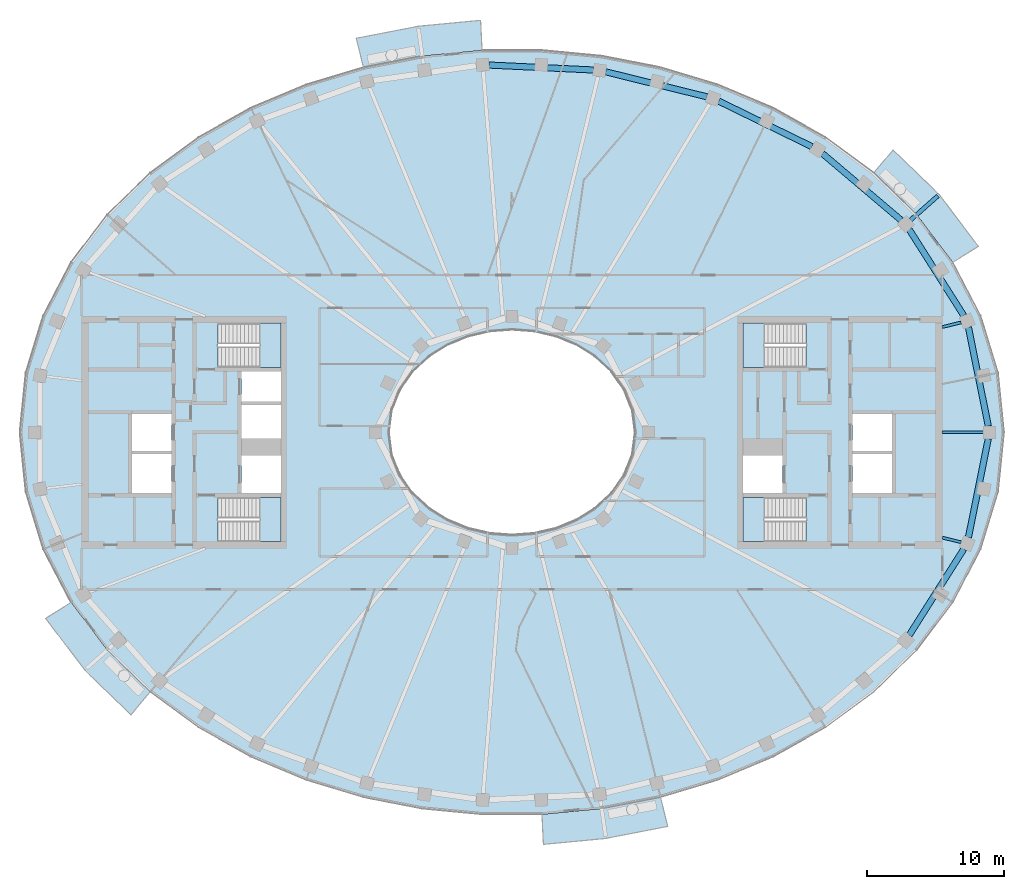
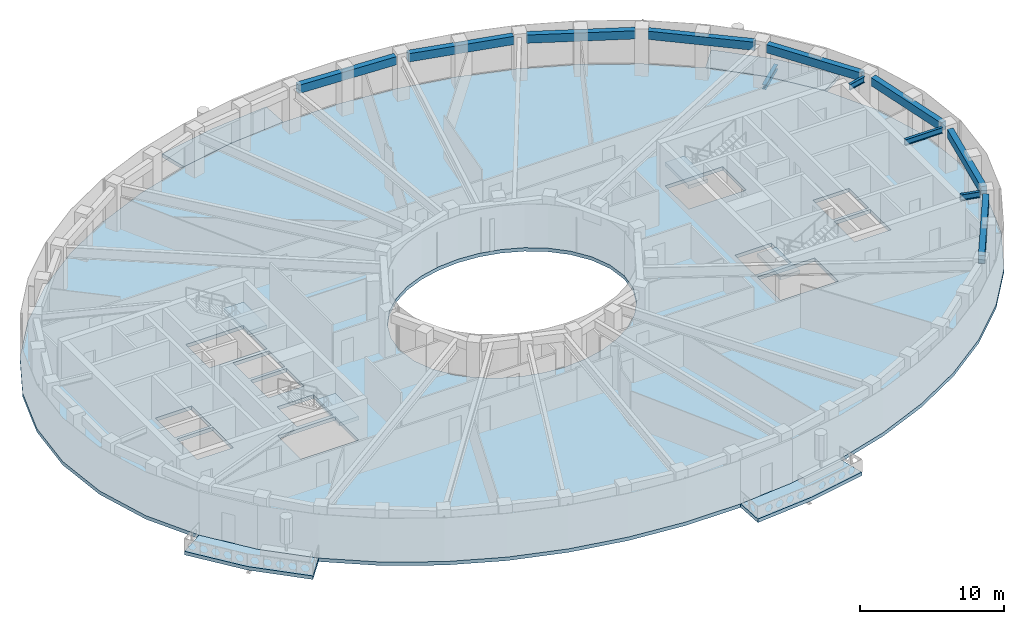
# One storey, part 2 of 16: 12 beams, 9 slabs, 4 elements without a shape of their own.
"""IFC4 building model written with IfcOpenShell, lengths in metres."""

from ifc_helpers import new_model, si_unit, direction, frame, origin, origin_2d, place, context, subcontext, project, spatial, polyline, rectangle, i_section, outline, extrude, material, layer, layer_set, material_profile, profile_set, type_object, element, aggregate, save


model = new_model("IFC4")

# Units and contexts
model_context = context("Model", 3, precision=1e-05, world=origin(), true_north=direction((0.0, 1.0)))
body_context = subcontext(model_context, "Body", "Model", "MODEL_VIEW")
ifc_project = project(units=[si_unit("LENGTHUNIT", "METRE"), si_unit("AREAUNIT", "SQUARE_METRE"), si_unit("VOLUMEUNIT", "CUBIC_METRE"), si_unit("PLANEANGLEUNIT", "RADIAN"), si_unit("MASSUNIT", "GRAM", prefix="KILO")], contexts=[model_context])

# Site, building, storey
site_placement = place(None, origin())
site = spatial("IfcSite", under=ifc_project, at=site_placement, CompositionType="ELEMENT")
building_placement = place(site_placement, origin())
building = spatial("IfcBuilding", under=site, at=building_placement, Name="Noorbagh Ring Tower", CompositionType="ELEMENT")
storey_placement = place(building_placement, frame((0.0, 0.0, 299.0)))
storey = spatial("IfcBuildingStorey", under=building, at=storey_placement, Name="L64", CompositionType="ELEMENT", Elevation=299.0)

# Beams
ifc_material_1 = material(Name="Steel S355", Category="steel")
ifc_material_profile_1 = material_profile(ifc_material_1, i_section(OverallWidth=0.300048828125, OverallDepth=0.39990234375, WebThickness=0.013427734375, FlangeThickness=0.02392578125, FilletRadius=0.027099609375, at=origin_2d()), Name="HEB400")
ifc_profile_set_1 = profile_set([ifc_material_profile_1], Name="Steel S355")
beam_type_1 = type_object("IfcBeamType", Name="STR-BALCONY-BRACKET-HEB400", PredefinedType="BEAM", material=ifc_profile_set_1)
beam_1_placement = place(storey_placement, frame((29.15966796875, 15.531982421875, -0.5), z_axis=(0.749056248736, 0.662506404671, 0.0), x_axis=(-0.662506404671, 0.749056248736, 0.0)))
element("IfcBeam", 1, at=beam_1_placement, inside=storey, type_object=beam_type_1, Name="Balcony bracket beam BN01", PredefinedType="BEAM", context=body_context, shape_type="SweptSolid", body=[
    extrude(i_section(OverallWidth=0.300048828125, OverallDepth=0.39990234375, WebThickness=0.013427734375, FlangeThickness=0.02392578125, FilletRadius=0.027099609375, at=origin_2d()), origin(), (0.0, 0.0, 1.0), 2.654296875),
])
ifc_material_2 = material(Name="Steel S355", Category="steel")
ifc_material_profile_2 = material_profile(ifc_material_2, i_section(OverallWidth=0.199951171875, OverallDepth=0.5, WebThickness=0.01025390625, FlangeThickness=0.01611328125, FilletRadius=0.02099609375, at=origin_2d()), Name="IPE500")
ifc_profile_set_2 = profile_set([ifc_material_profile_2], Name="Steel S355")
beam_type_2 = type_object("IfcBeamType", Name="STR-RAD-IPE500", PredefinedType="BEAM", material=ifc_profile_set_2)
beam_2_placement = place(storey_placement, frame((34.48974609375, 0.0, 3.449951171875), z_axis=(-1.0, 0.0, 0.0), x_axis=(0.0, -1.0, 0.0)))
element("IfcBeam", 2, at=beam_2_placement, inside=storey, type_object=beam_type_2, Name="L64/bm/RD01", PredefinedType="BEAM", context=body_context, shape_type="SweptSolid", body=[
    extrude(i_section(OverallWidth=0.199951171875, OverallDepth=0.5, WebThickness=0.01025390625, FlangeThickness=0.01611328125, FilletRadius=0.02099609375, at=origin_2d()), origin(), (0.0, 0.0, 1.0), 3.009765625),
])
for number, where, z_axis, x_axis, name in (
    (3, (32.858154296875, 8.0400390625, 3.449951171875), (-0.971335445274, -0.237712962949, 0.0), (0.237712962949, -0.971335445274, 0.0), "L64/bm/RD03"),
    (4, (32.858154296875, -8.0400390625, 3.449951171875), (-0.971335445274, 0.237712962949, 0.0), (-0.237712962949, -0.971335445274, 0.0), "L64/bm/RD45"),
):
    element("IfcBeam", number, at=place(storey_placement, frame(where, z_axis=z_axis, x_axis=x_axis)), inside=storey, type_object=beam_type_2, Name=name, PredefinedType="BEAM", context=body_context, shape_type="SweptSolid", body=[
        extrude(i_section(OverallWidth=0.199951171875, OverallDepth=0.5, WebThickness=0.01025390625, FlangeThickness=0.01611328125, FilletRadius=0.02099609375, at=origin_2d()), origin(), (0.0, 0.0, 1.0), 1.41845703125),
    ])
ifc_material_3 = material(Name="Concrete C40/50", Category="concrete")
ifc_material_profile_3 = material_profile(ifc_material_3, rectangle(XDim=0.449951171875, YDim=0.699951171875, at=origin_2d()), Name="RC450x700")
ifc_profile_set_3 = profile_set([ifc_material_profile_3], Name="Concrete C40/50")
beam_type_3 = type_object("IfcBeamType", Name="STR-SB-RC450x700-C40-50", PredefinedType="BEAM", material=ifc_profile_set_3)
beam_3_placement = place(storey_placement, frame((34.85302734375, 0.455322265625, 3.35009765625), z_axis=(-0.197209573264, 0.980361353896, 0.0), x_axis=(-0.980361353896, -0.197209573264, 0.0)))
element("IfcBeam", 5, at=beam_3_placement, inside=storey, type_object=beam_type_3, Name="L64/bm/SP01", PredefinedType="BEAM", context=body_context, shape_type="SweptSolid", body=[
    extrude(rectangle(XDim=0.449951171875, YDim=0.699951171875, at=origin_2d()), origin(), (0.0, 0.0, 1.0), 7.384521484375),
])
beam_4_placement = place(storey_placement, frame((33.0576171875, 8.5400390625, 3.35009765625), z_axis=(-0.535175885378, 0.84474065352, 0.0), x_axis=(-0.84474065352, -0.535175885378, 0.0)))
element("IfcBeam", 6, at=beam_4_placement, inside=storey, type_object=beam_type_3, Name="L64/bm/SP03", PredefinedType="BEAM", context=body_context, shape_type="SweptSolid", body=[
    extrude(rectangle(XDim=0.449951171875, YDim=0.699951171875, at=origin_2d()), origin(), (0.0, 0.0, 1.0), 7.459228515625),
])
beam_5_placement = place(storey_placement, frame((28.4677734375, 15.52783203125, 3.35009765625), z_axis=(-0.763022759798, 0.646371617594, 0.0), x_axis=(-0.646371617594, -0.763022759798, 0.0)))
element("IfcBeam", 7, at=beam_5_placement, inside=storey, type_object=beam_type_3, Name="L64/bm/SP05", PredefinedType="BEAM", context=body_context, shape_type="SweptSolid", body=[
    extrude(rectangle(XDim=0.449951171875, YDim=0.699951171875, at=origin_2d()), origin(), (0.0, 0.0, 1.0), 7.54296875),
])
beam_6_placement = place(storey_placement, frame((21.9501953125, 20.9013671875, 3.35009765625), z_axis=(-0.898405762579, 0.43916635318, 0.0), x_axis=(-0.43916635318, -0.898405762579, 0.0)))
element("IfcBeam", 8, at=beam_6_placement, inside=storey, type_object=beam_type_3, Name="L64/bm/SP07", PredefinedType="BEAM", context=body_context, shape_type="SweptSolid", body=[
    extrude(rectangle(XDim=0.449951171875, YDim=0.699951171875, at=origin_2d()), origin(), (0.0, 0.0, 1.0), 7.6015625),
])
beam_7_placement = place(storey_placement, frame((14.265380859375, 24.550537109375, 3.35009765625), z_axis=(-0.970830763324, 0.239765779427, 0.0), x_axis=(-0.239765779427, -0.970830763324, 0.0)))
element("IfcBeam", 9, at=beam_7_placement, inside=storey, type_object=beam_type_3, Name="L64/bm/SP09", PredefinedType="BEAM", context=body_context, shape_type="SweptSolid", body=[
    extrude(rectangle(XDim=0.449951171875, YDim=0.699951171875, at=origin_2d()), origin(), (0.0, 0.0, 1.0), 7.634765625),
])
beam_8_placement = place(storey_placement, frame((5.95263671875, 26.5126953125, 3.35009765625), z_axis=(-0.998869653919, 0.047533298648, 0.0), x_axis=(-0.047533298648, -0.998869653919, 0.0)))
element("IfcBeam", 10, at=beam_8_placement, inside=storey, type_object=beam_type_3, Name="L64/bm/SP11", PredefinedType="BEAM", context=body_context, shape_type="SweptSolid", body=[
    extrude(rectangle(XDim=0.449951171875, YDim=0.699951171875, at=origin_2d()), origin(), (0.0, 0.0, 1.0), 7.647705078125),
])
beam_9_placement = place(storey_placement, frame((29.065673828125, -14.841064453125, 3.35009765625), z_axis=(0.535175885378, 0.84474065352, 0.0), x_axis=(-0.84474065352, 0.535175885378, 0.0)))
element("IfcBeam", 11, at=beam_9_placement, inside=storey, type_object=beam_type_3, Name="L64/bm/SP43", PredefinedType="BEAM", context=body_context, shape_type="SweptSolid", body=[
    extrude(rectangle(XDim=0.449951171875, YDim=0.699951171875, at=origin_2d()), origin(), (0.0, 0.0, 1.0), 7.459228515625),
])
beam_10_placement = place(storey_placement, frame((33.396728515625, -7.69482421875, 3.35009765625), z_axis=(0.197209573264, 0.980361353896, 0.0), x_axis=(-0.980361353896, 0.197209573264, 0.0)))
element("IfcBeam", 12, at=beam_10_placement, inside=storey, type_object=beam_type_3, Name="L64/bm/SP45", PredefinedType="BEAM", context=body_context, shape_type="SweptSolid", body=[
    extrude(rectangle(XDim=0.449951171875, YDim=0.699951171875, at=origin_2d()), origin(), (0.0, 0.0, 1.0), 7.384521484375),
])

# Stair, slab
ifc_material_4 = material(Name="Concrete C40/50", Category="concrete")
stair_type = type_object("IfcStairType", Name="CORE-STAIR", PredefinedType="HALF_TURN_STAIR", material=ifc_material_4)
stair_1_placement = place(storey_placement, origin())
stair_1 = element("IfcStair", 13, at=stair_1_placement, inside=storey, type_object=stair_type, Name="L64 Exit stair ST1", PredefinedType="HALF_TURN_STAIR")
ifc_material_5 = material(Name="Concrete C40/50", Category="concrete")
ifc_layer_1 = layer(ifc_material_5, 0.300048828125)
ifc_layer_set_1 = layer_set([ifc_layer_1], Name="Concrete C40/50")
slab_type_1 = type_object("IfcSlabType", Name="CORE-STAIR-LANDING", PredefinedType="LANDING", material=ifc_layer_set_1)
slab_1_placement = place(storey_placement, frame((0.0, 0.0, 1.699951171875)))
slab_1 = element("IfcSlab", 14, at=slab_1_placement, type_object=slab_type_1, Name="ST1 landing 1", PredefinedType="LANDING", context=body_context, shape_type="SweptSolid", body=[
    extrude(outline(polyline([(-18.449951171875, 4.75), (-16.89990234375, 4.75), (-16.89990234375, 8.0), (-18.449951171875, 8.0), (-18.449951171875, 4.75)])), origin(), (0.0, 0.0, 1.0), 0.300048828125),
])
aggregate(stair_1, [slab_1])

stair_2_placement = place(storey_placement, origin())
stair_2 = element("IfcStair", 15, at=stair_2_placement, inside=storey, type_object=stair_type, Name="L64 Exit stair ST2", PredefinedType="HALF_TURN_STAIR")
slab_2_placement = place(storey_placement, frame((0.0, 0.0, 1.699951171875)))
slab_2 = element("IfcSlab", 16, at=slab_2_placement, type_object=slab_type_1, Name="ST2 landing 1", PredefinedType="LANDING", context=body_context, shape_type="SweptSolid", body=[
    extrude(outline(polyline([(-18.449951171875, -8.0), (-16.89990234375, -8.0), (-16.89990234375, -4.75), (-18.449951171875, -4.75), (-18.449951171875, -8.0)])), origin(), (0.0, 0.0, 1.0), 0.300048828125),
])
aggregate(stair_2, [slab_2])

stair_3_placement = place(storey_placement, origin())
stair_3 = element("IfcStair", 17, at=stair_3_placement, inside=storey, type_object=stair_type, Name="L64 Exit stair ST3", PredefinedType="HALF_TURN_STAIR")
slab_3_placement = place(storey_placement, frame((0.0, 0.0, 1.699951171875)))
slab_3 = element("IfcSlab", 18, at=slab_3_placement, type_object=slab_type_1, Name="ST3 landing 1", PredefinedType="LANDING", context=body_context, shape_type="SweptSolid", body=[
    extrude(outline(polyline([(18.449951171875, 8.0), (16.89990234375, 8.0), (16.89990234375, 4.75), (18.449951171875, 4.75), (18.449951171875, 8.0)])), origin(), (0.0, 0.0, 1.0), 0.300048828125),
])
aggregate(stair_3, [slab_3])

stair_4_placement = place(storey_placement, origin())
stair_4 = element("IfcStair", 19, at=stair_4_placement, inside=storey, type_object=stair_type, Name="L64 Exit stair ST4", PredefinedType="HALF_TURN_STAIR")
slab_4_placement = place(storey_placement, frame((0.0, 0.0, 1.699951171875)))
slab_4 = element("IfcSlab", 20, at=slab_4_placement, type_object=slab_type_1, Name="ST4 landing 1", PredefinedType="LANDING", context=body_context, shape_type="SweptSolid", body=[
    extrude(outline(polyline([(18.449951171875, -4.75), (16.89990234375, -4.75), (16.89990234375, -8.0), (18.449951171875, -8.0), (18.449951171875, -4.75)])), origin(), (0.0, 0.0, 1.0), 0.300048828125),
])
aggregate(stair_4, [slab_4])

# Slabs
ifc_material_6 = material(Name="Concrete C40/50", Category="concrete")
ifc_layer_2 = layer(ifc_material_6, 0.300048828125)
ifc_layer_set_2 = layer_set([ifc_layer_2], Name="Concrete C40/50")
slab_type_2 = type_object("IfcSlabType", Name="ENV-BALCONY DECK 300", PredefinedType="FLOOR", material=ifc_layer_set_2)
slab_5_placement = place(storey_placement, frame((0.0, 0.0, -0.300048828125)))
element("IfcSlab", 21, at=slab_5_placement, inside=storey, type_object=slab_type_2, Name="Tree balcony deck BN01", PredefinedType="FLOOR", context=body_context, shape_type="SweptSolid", body=[
    extrude(outline(polyline([(34.120361328125, 13.615966796875), (31.26025390625, 17.389892578125), (27.888671875, 20.665771484375), (26.463134765625, 18.983154296875), (29.607666015625, 15.92822265625), (32.255126953125, 12.434814453125), (34.120361328125, 13.615966796875)])), origin(), (0.0, 0.0, 1.0), 0.300048828125),
])
slab_6_placement = place(storey_placement, frame((0.0, 0.0, -0.300048828125)))
element("IfcSlab", 22, at=slab_6_placement, inside=storey, type_object=slab_type_2, Name="Tree balcony deck BN04", PredefinedType="FLOOR", context=body_context, shape_type="SweptSolid", body=[
    extrude(outline(polyline([(-2.2978515625, 30.14794921875), (-6.874755859375, 29.711181640625), (-11.3935546875, 28.832763671875), (-10.865234375, 26.6943359375), (-6.5595703125, 27.53125), (-2.193115234375, 27.947998046875), (-2.2978515625, 30.14794921875)])), origin(), (0.0, 0.0, 1.0), 0.300048828125),
])
slab_7_placement = place(storey_placement, frame((0.0, 0.0, -0.300048828125)))
element("IfcSlab", 23, at=slab_7_placement, inside=storey, type_object=slab_type_2, Name="Tree balcony deck BS01", PredefinedType="FLOOR", context=body_context, shape_type="SweptSolid", body=[
    extrude(outline(polyline([(-34.120361328125, -13.615966796875), (-31.26025390625, -17.389892578125), (-27.888671875, -20.665771484375), (-26.463134765625, -18.983154296875), (-29.607666015625, -15.92822265625), (-32.255126953125, -12.434814453125), (-34.120361328125, -13.615966796875)])), origin(), (0.0, 0.0, 1.0), 0.300048828125),
])
slab_8_placement = place(storey_placement, frame((0.0, 0.0, -0.300048828125)))
element("IfcSlab", 24, at=slab_8_placement, inside=storey, type_object=slab_type_2, Name="Tree balcony deck BS04", PredefinedType="FLOOR", context=body_context, shape_type="SweptSolid", body=[
    extrude(outline(polyline([(2.2978515625, -30.14794921875), (6.874755859375, -29.711181640625), (11.3935546875, -28.832763671875), (10.865234375, -26.6943359375), (6.5595703125, -27.53125), (2.193115234375, -27.947998046875), (2.2978515625, -30.14794921875)])), origin(), (0.0, 0.0, 1.0), 0.300048828125),
])
ifc_material_7 = material(Name="Concrete C40/50", Category="concrete")
ifc_layer_3 = layer(ifc_material_7, 0.300048828125)
ifc_layer_set_3 = layer_set([ifc_layer_3], Name="Concrete C40/50")
slab_type_3 = type_object("IfcSlabType", Name="STR-FLOOR-DECK-300", PredefinedType="FLOOR", material=ifc_layer_set_3)
slab_9_placement = place(storey_placement, frame((0.0, 0.0, -0.300048828125)))
element("IfcSlab", 25, at=slab_9_placement, inside=storey, type_object=slab_type_3, Name="L64/slab/1", PredefinedType="FLOOR", context=body_context, shape_type="SweptSolid", body=[
    extrude(outline(polyline([(36.0, 0.0), (35.56103515625, 4.358642578125), (34.281005859375, 8.548828125), (32.255126953125, 12.434814453125), (29.607666015625, 15.92822265625), (26.463134765625, 18.983154296875), (22.9326171875, 21.583740234375), (19.108154296875, 23.730224609375), (15.0654296875, 25.430419921875), (10.865234375, 26.6943359375), (6.5595703125, 27.53125), (2.193115234375, 27.947998046875), (-2.193115234375, 27.947998046875), (-6.5595703125, 27.53125), (-10.865234375, 26.6943359375), (-15.0654296875, 25.430419921875), (-19.108154296875, 23.730224609375), (-22.9326171875, 21.583740234375), (-26.463134765625, 18.983154296875), (-29.607666015625, 15.92822265625), (-32.255126953125, 12.434814453125), (-34.281005859375, 8.548828125), (-35.56103515625, 4.358642578125), (-36.0, 0.0), (-35.56103515625, -4.358642578125), (-34.281005859375, -8.548828125), (-32.255126953125, -12.434814453125), (-29.607666015625, -15.92822265625), (-26.463134765625, -18.983154296875), (-22.9326171875, -21.583740234375), (-19.108154296875, -23.730224609375), (-15.0654296875, -25.430419921875), (-10.865234375, -26.6943359375), (-6.5595703125, -27.53125), (-2.193115234375, -27.947998046875), (2.193115234375, -27.947998046875), (6.5595703125, -27.53125), (10.865234375, -26.6943359375), (15.0654296875, -25.430419921875), (19.108154296875, -23.730224609375), (22.9326171875, -21.583740234375), (26.463134765625, -18.983154296875), (29.607666015625, -15.92822265625), (32.255126953125, -12.434814453125), (34.281005859375, -8.548828125), (35.56103515625, -4.358642578125), (36.0, 0.0)]), holes=[polyline([(24.89990234375, -1.60009765625), (27.800048828125, -1.60009765625), (27.800048828125, -4.449951171875), (24.89990234375, -4.449951171875), (24.89990234375, -1.60009765625)]), polyline([(24.89990234375, 1.35009765625), (27.800048828125, 1.35009765625), (27.800048828125, -1.35009765625), (24.89990234375, -1.35009765625), (24.89990234375, 1.35009765625)]), polyline([(21.529541015625, -8.0), (16.89990234375, -8.0), (16.89990234375, -4.75), (21.529541015625, -4.75), (21.529541015625, -8.0)]), polyline([(21.529541015625, 4.75), (16.89990234375, 4.75), (16.89990234375, 8.0), (21.529541015625, 8.0), (21.529541015625, 4.75)]), polyline([(16.89990234375, -1.699951171875), (19.800048828125, -1.699951171875), (19.800048828125, -4.449951171875), (16.89990234375, -4.449951171875), (16.89990234375, -1.699951171875)]), polyline([(4.697509765625, -6.3974609375), (3.196533203125, -7.010986328125), (1.6171875, -7.3779296875), (0.0, -7.5), (-1.6171875, -7.3779296875), (-3.196533203125, -7.010986328125), (-4.697509765625, -6.3974609375), (-6.071044921875, -5.53662109375), (-7.2587890625, -4.43408203125), (-8.1904296875, -3.10888671875), (-8.79150390625, -1.605224609375), (-9.0, 0.0), (-8.79150390625, 1.605224609375), (-8.1904296875, 3.10888671875), (-7.2587890625, 4.43408203125), (-6.071044921875, 5.53662109375), (-4.697509765625, 6.3974609375), (-3.196533203125, 7.010986328125), (-1.6171875, 7.3779296875), (0.0, 7.5), (1.6171875, 7.3779296875), (3.196533203125, 7.010986328125), (4.697509765625, 6.3974609375), (6.071044921875, 5.53662109375), (7.2587890625, 4.43408203125), (8.1904296875, 3.10888671875), (8.79150390625, 1.605224609375), (9.0, 0.0), (8.79150390625, -1.605224609375), (8.1904296875, -3.10888671875), (7.2587890625, -4.43408203125), (6.071044921875, -5.53662109375), (4.697509765625, -6.3974609375)]), polyline([(-21.529541015625, -8.0), (-21.529541015625, -4.75), (-16.89990234375, -4.75), (-16.89990234375, -8.0), (-21.529541015625, -8.0)]), polyline([(-21.529541015625, 4.75), (-21.529541015625, 8.0), (-16.89990234375, 8.0), (-16.89990234375, 4.75), (-21.529541015625, 4.75)]), polyline([(-16.89990234375, -4.449951171875), (-19.800048828125, -4.449951171875), (-19.800048828125, -1.699951171875), (-16.89990234375, -1.699951171875), (-16.89990234375, -4.449951171875)]), polyline([(-16.89990234375, -0.449951171875), (-19.800048828125, -0.449951171875), (-19.800048828125, 2.0), (-16.89990234375, 2.0), (-16.89990234375, -0.449951171875)]), polyline([(-16.89990234375, 2.25), (-19.800048828125, 2.25), (-19.800048828125, 4.449951171875), (-16.89990234375, 4.449951171875), (-16.89990234375, 2.25)]), polyline([(-24.89990234375, -4.449951171875), (-27.800048828125, -4.449951171875), (-27.800048828125, -1.60009765625), (-24.89990234375, -1.60009765625), (-24.89990234375, -4.449951171875)]), polyline([(-24.89990234375, 1.35009765625), (-24.89990234375, -1.35009765625), (-27.800048828125, -1.35009765625), (-27.800048828125, 1.35009765625), (-24.89990234375, 1.35009765625)])]), origin(), (0.0, 0.0, 1.0), 0.300048828125),
])

save(model, "model.ifc")
